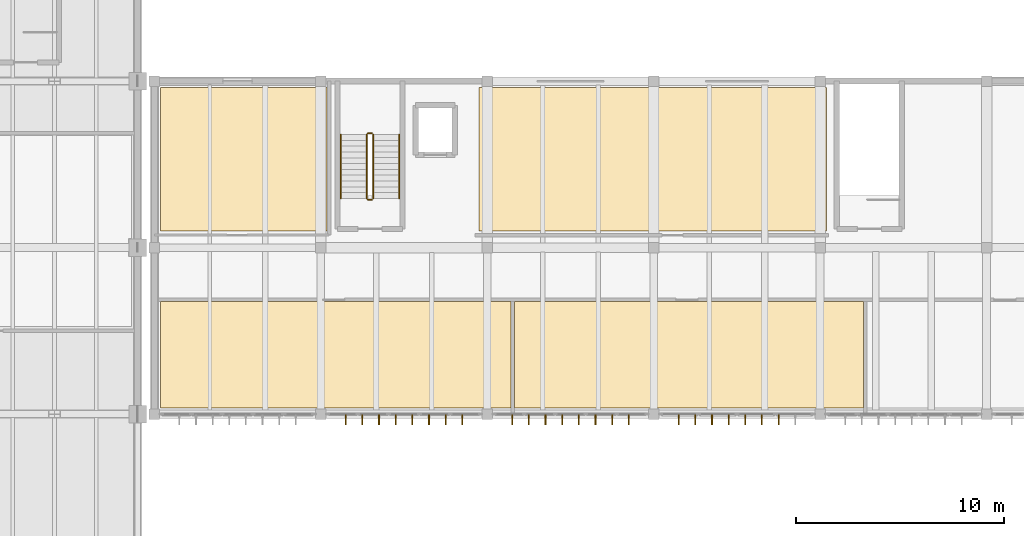
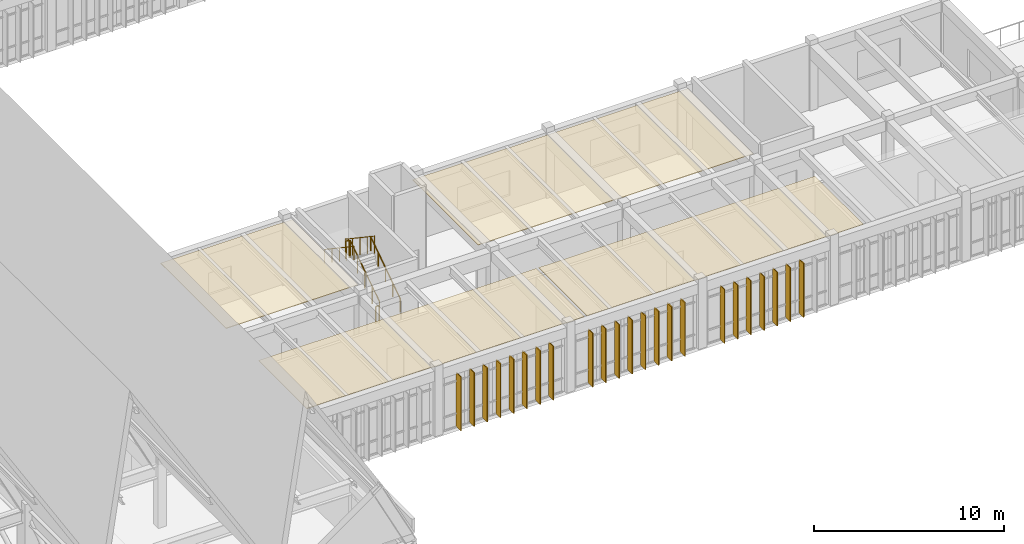
# One storey, part 64 of 72: 23 shading devices, 6 railings, 4 coverings.
"""IFC4 building model written with IfcOpenShell, lengths in metres."""

from ifc_helpers import new_model, si_unit, direction, frame, origin, origin_2d, place, context, subcontext, project, spatial, polyline, rectangle, circle, outline, extrude, material, layer, layer_set, type_object, element, save


model = new_model("IFC4")

# Units and contexts
model_context = context("Model", 3, precision=1e-05, world=origin(), true_north=direction((0.0, 1.0)))
body_context = subcontext(model_context, "Body", "Model", "MODEL_VIEW")
ifc_project = project(units=[si_unit("LENGTHUNIT", "METRE"), si_unit("AREAUNIT", "SQUARE_METRE"), si_unit("VOLUMEUNIT", "CUBIC_METRE"), si_unit("PLANEANGLEUNIT", "RADIAN"), si_unit("MASSUNIT", "GRAM", prefix="KILO")], contexts=[model_context])

# Site, building, storey
site_placement = place(None, origin())
site = spatial("IfcSite", under=ifc_project, at=site_placement, CompositionType="ELEMENT")
building_placement = place(site_placement, origin())
building = spatial("IfcBuilding", under=site, at=building_placement, Name="Tlaxcora Railside Police Headquarters", CompositionType="ELEMENT")
storey_placement = place(building_placement, frame((0.0, 0.0, 13.5)))
storey = spatial("IfcBuildingStorey", under=building, at=storey_placement, Name="L03", CompositionType="ELEMENT", Elevation=13.5)

# Coverings
ifc_material_1 = material(Name="Mineral-fibre acoustic ceiling tile")
ifc_layer_1 = layer(ifc_material_1, 0.034912109375, Name="Mineral-fibre acoustic ceiling tile")
ifc_layer_set_1 = layer_set([ifc_layer_1], Name="Mineral-fibre acoustic ceiling tile")
covering_type = type_object("IfcCoveringType", Name="Acoustic Suspended Ceiling CLG-01", PredefinedType="CEILING", material=ifc_layer_set_1)
covering_1_placement = place(storey_placement, frame((0.0, 0.0, 4.06494140625)))
element("IfcCovering", 1, at=covering_1_placement, inside=storey, type_object=covering_type, Name="De-Escalation and Crisis Training Room suspended ceiling", PredefinedType="CEILING", context=body_context, shape_type="SweptSolid", body=[
    extrude(outline(polyline([(103.10009765625, 36.300048828125), (119.948974609375, 36.300048828125), (119.948974609375, 41.39990234375), (103.10009765625, 41.39990234375), (103.10009765625, 36.300048828125)])), origin(), (0.0, 0.0, 1.0), 0.03515625),
])
covering_2_placement = place(storey_placement, frame((0.0, 0.0, 4.06494140625)))
element("IfcCovering", 2, at=covering_2_placement, inside=storey, type_object=covering_type, Name="Police Law Library and Case Seminar Room suspended ceiling", PredefinedType="CEILING", context=body_context, shape_type="SweptSolid", body=[
    extrude(outline(polyline([(120.10888671875, 36.300048828125), (136.8779296875, 36.300048828125), (136.8779296875, 41.39990234375), (120.10888671875, 41.39990234375), (120.10888671875, 36.300048828125)])), origin(), (0.0, 0.0, 1.0), 0.03515625),
])
covering_3_placement = place(storey_placement, frame((0.0, 0.0, 4.06494140625)))
element("IfcCovering", 3, at=covering_3_placement, inside=storey, type_object=covering_type, Name="Accessible WC and Academy Lounge Restrooms L03 suspended ceiling", PredefinedType="CEILING", context=body_context, shape_type="SweptSolid", body=[
    extrude(outline(polyline([(103.10009765625, 44.800048828125), (111.10009765625, 44.800048828125), (111.10009765625, 51.699951171875), (103.10009765625, 51.699951171875), (103.10009765625, 44.800048828125)])), origin(), (0.0, 0.0, 1.0), 0.03515625),
])
covering_4_placement = place(storey_placement, frame((0.0, 0.0, 4.06494140625)))
element("IfcCovering", 4, at=covering_4_placement, inside=storey, type_object=covering_type, Name="Case Review and Instructor Room L03 suspended ceiling", PredefinedType="CEILING", context=body_context, shape_type="SweptSolid", body=[
    extrude(outline(polyline([(118.39990234375, 44.800048828125), (135.10009765625, 44.800048828125), (135.10009765625, 51.699951171875), (118.39990234375, 51.699951171875), (118.39990234375, 44.800048828125)])), origin(), (0.0, 0.0, 1.0), 0.03515625),
])

# Shading devices
ifc_material_2 = material(Name="Anodised aluminium framing", Category="aluminium")
ifc_layer_2 = layer(ifc_material_2, 0.054931640625, Name="Anodised aluminium framing")
ifc_layer_set_2 = layer_set([ifc_layer_2], Name="Anodised aluminium framing")
shading_device_type = type_object("IfcShadingDeviceType", Name="Solar Control Fin SF-01", PredefinedType="JALOUSIE", material=ifc_layer_set_2)
for number, where, z_axis, x_axis, name in (
    (5, (112.0, 35.739990234375, 0.0400390625), (0.0, 0.0, 1.0), (0.0, -1.0, 0.0), "Vertical solar fin 1032"),
    (6, (112.800048828125, 35.739990234375, 0.0400390625), (0.0, 0.0, 1.0), (0.0, -1.0, 0.0), "Vertical solar fin 1033"),
    (7, (113.60009765625, 35.739990234375, 0.0400390625), (0.0, 0.0, 1.0), (0.0, -1.0, 0.0), "Vertical solar fin 1034"),
    (8, (114.39990234375, 35.739990234375, 0.0400390625), (0.0, 0.0, 1.0), (0.0, -1.0, 0.0), "Vertical solar fin 1035"),
    (9, (115.199951171875, 35.739990234375, 0.0400390625), (0.0, 0.0, 1.0), (0.0, -1.0, 0.0), "Vertical solar fin 1036"),
    (10, (116.0, 35.739990234375, 0.0400390625), (0.0, 0.0, 1.0), (0.0, -1.0, 0.0), "Vertical solar fin 1037"),
    (11, (116.800048828125, 35.739990234375, 0.0400390625), (0.0, 0.0, 1.0), (0.0, -1.0, 0.0), "Vertical solar fin 1038"),
    (12, (117.60009765625, 35.739990234375, 0.0400390625), (0.0, 0.0, 1.0), (0.0, -1.0, 0.0), "Vertical solar fin 1039"),
    (13, (120.0, 35.739990234375, 0.0400390625), (0.0, 0.0, 1.0), (0.0, -1.0, 0.0), "Vertical solar fin 1040"),
    (14, (120.800048828125, 35.739990234375, 0.0400390625), (0.0, 0.0, 1.0), (0.0, -1.0, 0.0), "Vertical solar fin 1041"),
    (15, (121.60009765625, 35.739990234375, 0.0400390625), (0.0, 0.0, 1.0), (0.0, -1.0, 0.0), "Vertical solar fin 1042"),
    (16, (122.39990234375, 35.739990234375, 0.0400390625), (0.0, 0.0, 1.0), (0.0, -1.0, 0.0), "Vertical solar fin 1043"),
    (17, (123.199951171875, 35.739990234375, 0.0400390625), (0.0, 0.0, 1.0), (0.0, -1.0, 0.0), "Vertical solar fin 1044"),
    (18, (124.0, 35.739990234375, 0.0400390625), (0.0, 0.0, 1.0), (0.0, -1.0, 0.0), "Vertical solar fin 1045"),
    (19, (124.800048828125, 35.739990234375, 0.0400390625), (0.0, 0.0, 1.0), (0.0, -1.0, 0.0), "Vertical solar fin 1046"),
    (20, (125.60009765625, 35.739990234375, 0.0400390625), (0.0, 0.0, 1.0), (0.0, -1.0, 0.0), "Vertical solar fin 1047"),
    (21, (128.0, 35.739990234375, 0.0400390625), (0.0, 0.0, 1.0), (0.0, -1.0, 0.0), "Vertical solar fin 1048"),
    (22, (128.800048828125, 35.739990234375, 0.0400390625), (0.0, 0.0, 1.0), (0.0, -1.0, 0.0), "Vertical solar fin 1049"),
    (23, (129.60009765625, 35.739990234375, 0.0400390625), (0.0, 0.0, 1.0), (0.0, -1.0, 0.0), "Vertical solar fin 1050"),
    (24, (130.39990234375, 35.739990234375, 0.0400390625), (0.0, 0.0, 1.0), (0.0, -1.0, 0.0), "Vertical solar fin 1051"),
    (25, (131.199951171875, 35.739990234375, 0.0400390625), (0.0, 0.0, 1.0), (0.0, -1.0, 0.0), "Vertical solar fin 1052"),
    (26, (132.0, 35.739990234375, 0.0400390625), (0.0, 0.0, 1.0), (0.0, -1.0, 0.0), "Vertical solar fin 1053"),
    (27, (132.800048828125, 35.739990234375, 0.0400390625), (0.0, 0.0, 1.0), (0.0, -1.0, 0.0), "Vertical solar fin 1054"),
):
    element("IfcShadingDevice", number, at=place(storey_placement, frame(where, z_axis=z_axis, x_axis=x_axis)), inside=storey, type_object=shading_device_type, Name=name, PredefinedType="JALOUSIE", context=body_context, shape_type="SweptSolid", body=[
        extrude(rectangle(XDim=0.47998046875, YDim=0.054931640625, at=origin_2d()), origin(), (0.0, 0.0, 1.0), 3.4599609375),
    ])

# Railings
ifc_material_3 = material(Name="Steel ASTM A992 Grade 50", Category="steel")
railing_type_1 = type_object("IfcRailingType", Name="Stair Well Guard Balustrade GR-02", PredefinedType="BALUSTRADE", material=ifc_material_3)
railing_1_placement = place(storey_placement, frame((113.31005859375, 46.360107421875, 0.1875)))
element("IfcRailing", 28, at=railing_1_placement, inside=storey, type_object=railing_type_1, Name="L03 ST5 stair guard 1", PredefinedType="BALUSTRADE", context=body_context, shape_type="SweptSolid", body=[
    extrude(circle(Radius=0.02392578125, at=origin_2d()), frame((0.0, 0.0, 1.09619140625), z_axis=(0.0, 0.830893310487, 0.556431762742), x_axis=(-1.0, 0.0, 0.0)), (0.0, 0.0, 1.0), 3.70654296875),
    extrude(circle(Radius=0.02099609375, at=origin_2d()), origin(), (0.0, 0.0, 1.0), 1.072021484375),
    extrude(circle(Radius=0.02099609375, at=origin_2d()), frame((0.0, 0.77001953125, 0.515625)), (0.0, 0.0, 1.0), 1.072021484375),
    extrude(circle(Radius=0.02099609375, at=origin_2d()), frame((0.0, 1.5400390625, 1.03125)), (0.0, 0.0, 1.0), 1.072021484375),
    extrude(circle(Radius=0.02099609375, at=origin_2d()), frame((0.0, 2.309814453125, 1.546875)), (0.0, 0.0, 1.0), 1.072021484375),
    extrude(circle(Radius=0.02099609375, at=origin_2d()), frame((0.0, 3.079833984375, 2.0625)), (0.0, 0.0, 1.0), 1.072021484375),
])
railing_2_placement = place(storey_placement, frame((113.260009765625, 49.489990234375, 2.25)))
element("IfcRailing", 29, at=railing_2_placement, inside=storey, type_object=railing_type_1, Name="L03 ST5 stair guard 2", PredefinedType="BALUSTRADE", context=body_context, shape_type="SweptSolid", body=[
    extrude(circle(Radius=0.02392578125, at=origin_2d()), frame((0.0, 0.0, 1.09619140625), z_axis=(-1.0, 0.0, 0.0), x_axis=(0.0, -1.0, 0.0)), (0.0, 0.0, 1.0), 0.199951171875),
    extrude(circle(Radius=0.02099609375, at=origin_2d()), origin(), (0.0, 0.0, 1.0), 1.072021484375),
    extrude(circle(Radius=0.02099609375, at=origin_2d()), frame((-0.199951171875, 0.0, 0.0)), (0.0, 0.0, 1.0), 1.072021484375),
])
railing_3_placement = place(storey_placement, frame((113.010009765625, 49.43994140625, 2.4375)))
element("IfcRailing", 30, at=railing_3_placement, inside=storey, type_object=railing_type_1, Name="L03 ST5 stair guard 3", PredefinedType="BALUSTRADE", context=body_context, shape_type="SweptSolid", body=[
    extrude(circle(Radius=0.02392578125, at=origin_2d()), frame((0.0, 0.0, 1.09619140625), z_axis=(0.0, -0.830893310487, 0.556431762742), x_axis=(1.0, 0.0, 0.0)), (0.0, 0.0, 1.0), 3.70654296875),
    extrude(circle(Radius=0.02099609375, at=origin_2d()), origin(), (0.0, 0.0, 1.0), 1.072021484375),
    extrude(circle(Radius=0.02099609375, at=origin_2d()), frame((0.0, -0.77001953125, 0.515625)), (0.0, 0.0, 1.0), 1.072021484375),
    extrude(circle(Radius=0.02099609375, at=origin_2d()), frame((0.0, -1.5400390625, 1.03125)), (0.0, 0.0, 1.0), 1.072021484375),
    extrude(circle(Radius=0.02099609375, at=origin_2d()), frame((0.0, -2.309814453125, 1.546875)), (0.0, 0.0, 1.0), 1.072021484375),
    extrude(circle(Radius=0.02099609375, at=origin_2d()), frame((0.0, -3.079833984375, 2.0625)), (0.0, 0.0, 1.0), 1.072021484375),
])
railing_4_placement = place(storey_placement, frame((113.260009765625, 46.31005859375, 0.0)))
element("IfcRailing", 31, at=railing_4_placement, inside=storey, type_object=railing_type_1, Name="L03 ST5 stair guard 4", PredefinedType="BALUSTRADE", context=body_context, shape_type="SweptSolid", body=[
    extrude(circle(Radius=0.02392578125, at=origin_2d()), frame((0.0, 0.0, 1.09619140625), z_axis=(-1.0, 0.0, 0.0), x_axis=(0.0, -1.0, 0.0)), (0.0, 0.0, 1.0), 0.199951171875),
    extrude(circle(Radius=0.02099609375, at=origin_2d()), origin(), (0.0, 0.0, 1.0), 1.072021484375),
    extrude(circle(Radius=0.02099609375, at=origin_2d()), frame((-0.199951171875, 0.0, 0.0)), (0.0, 0.0, 1.0), 1.072021484375),
])
railing_type_2 = type_object("IfcRailingType", Name="Stair and Ramp Handrail HR-01", PredefinedType="HANDRAIL", material=ifc_material_3)
railing_5_placement = place(storey_placement, frame((114.56005859375, 46.360107421875, 0.1875)))
element("IfcRailing", 32, at=railing_5_placement, inside=storey, type_object=railing_type_2, Name="L03 ST5 stair handrail 1", PredefinedType="HANDRAIL", context=body_context, shape_type="SweptSolid", body=[
    extrude(circle(Radius=0.02392578125, at=origin_2d()), frame((0.0, 0.0, 0.8759765625), z_axis=(0.0, 0.830893310487, 0.556431762742), x_axis=(-1.0, 0.0, 0.0)), (0.0, 0.0, 1.0), 3.70654296875),
    extrude(circle(Radius=0.02099609375, at=origin_2d()), origin(), (0.0, 0.0, 1.0), 0.851806640625),
    extrude(circle(Radius=0.02099609375, at=origin_2d()), frame((0.0, 0.77001953125, 0.515625)), (0.0, 0.0, 1.0), 0.851806640625),
    extrude(circle(Radius=0.02099609375, at=origin_2d()), frame((0.0, 1.5400390625, 1.03125)), (0.0, 0.0, 1.0), 0.851806640625),
    extrude(circle(Radius=0.02099609375, at=origin_2d()), frame((0.0, 2.309814453125, 1.546875)), (0.0, 0.0, 1.0), 0.851806640625),
    extrude(circle(Radius=0.02099609375, at=origin_2d()), frame((0.0, 3.079833984375, 2.0625)), (0.0, 0.0, 1.0), 0.851806640625),
])
railing_6_placement = place(storey_placement, frame((111.760009765625, 49.43994140625, 2.4375)))
element("IfcRailing", 33, at=railing_6_placement, inside=storey, type_object=railing_type_2, Name="L03 ST5 stair handrail 2", PredefinedType="HANDRAIL", context=body_context, shape_type="SweptSolid", body=[
    extrude(circle(Radius=0.02392578125, at=origin_2d()), frame((0.0, 0.0, 0.8759765625), z_axis=(0.0, -0.830893310487, 0.556431762742), x_axis=(1.0, 0.0, 0.0)), (0.0, 0.0, 1.0), 3.70654296875),
    extrude(circle(Radius=0.02099609375, at=origin_2d()), origin(), (0.0, 0.0, 1.0), 0.851806640625),
    extrude(circle(Radius=0.02099609375, at=origin_2d()), frame((0.0, -0.77001953125, 0.515625)), (0.0, 0.0, 1.0), 0.851806640625),
    extrude(circle(Radius=0.02099609375, at=origin_2d()), frame((0.0, -1.5400390625, 1.03125)), (0.0, 0.0, 1.0), 0.851806640625),
    extrude(circle(Radius=0.02099609375, at=origin_2d()), frame((0.0, -2.309814453125, 1.546875)), (0.0, 0.0, 1.0), 0.851806640625),
    extrude(circle(Radius=0.02099609375, at=origin_2d()), frame((0.0, -3.079833984375, 2.0625)), (0.0, 0.0, 1.0), 0.851806640625),
])

save(model, "model.ifc")
